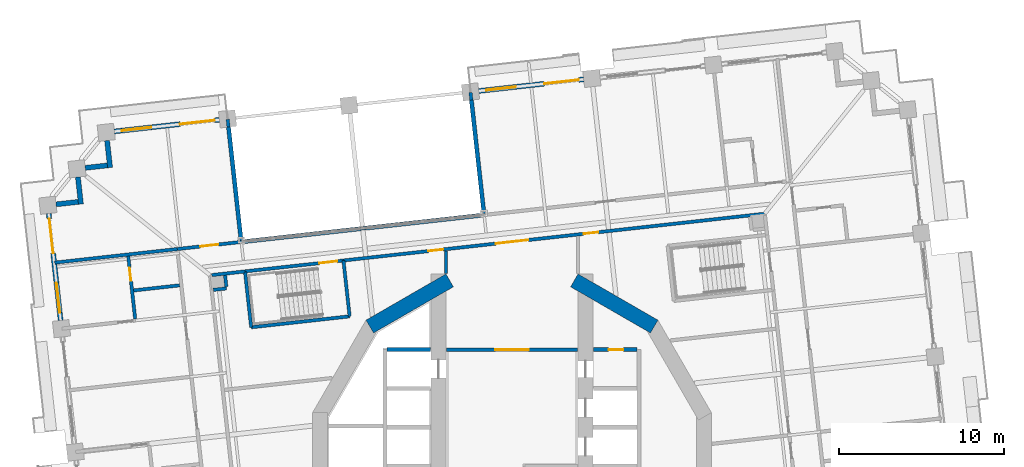
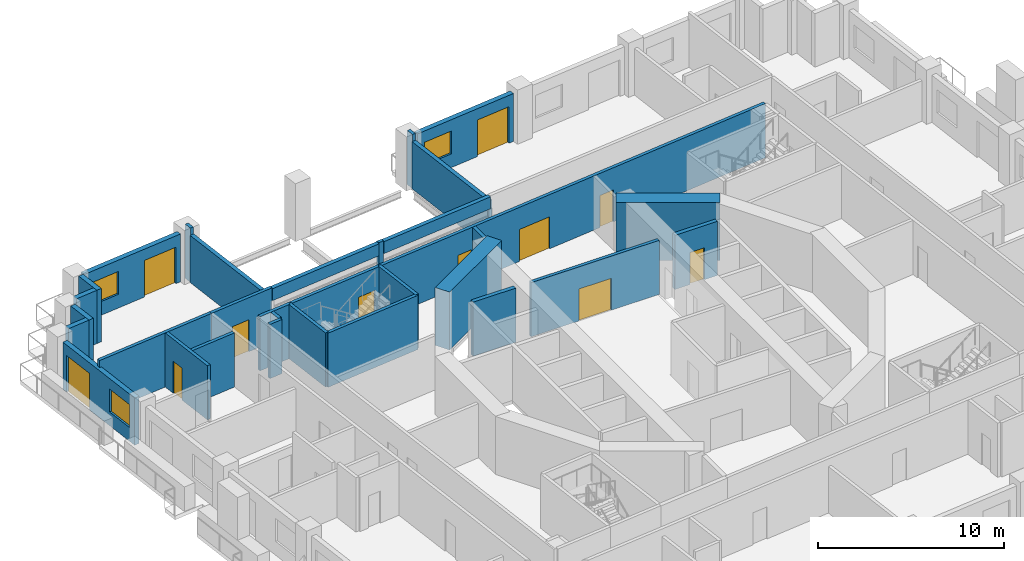
# One storey, part 11 of 21: 32 walls, 11 doors, 3 windows, 14 openings.
"""IFC4 building model written with IfcOpenShell, lengths in metres."""

from ifc_helpers import new_model, si_unit, direction, frame, frame_2d, origin, place, context, subcontext, project, spatial, rectangle, extrude, material, layer, layer_set, type_object, element, fill, save


model = new_model("IFC4")

# Units and contexts
model_context = context("Model", 3, precision=1e-05, world=origin(), true_north=direction((0.0, 1.0)))
body_context = subcontext(model_context, "Body", "Model", "MODEL_VIEW")
ifc_project = project(units=[si_unit("LENGTHUNIT", "METRE"), si_unit("AREAUNIT", "SQUARE_METRE"), si_unit("VOLUMEUNIT", "CUBIC_METRE"), si_unit("PLANEANGLEUNIT", "RADIAN"), si_unit("MASSUNIT", "GRAM", prefix="KILO")], contexts=[model_context])

# Site, building, storey
site_placement = place(None, origin())
site = spatial("IfcSite", under=ifc_project, at=site_placement, CompositionType="ELEMENT")
building_placement = place(site_placement, origin())
building = spatial("IfcBuilding", under=site, at=building_placement, Name="Cantera Rosa Tower", CompositionType="ELEMENT")
storey_placement = place(building_placement, frame((0.0, 0.0, 57.699951171875)))
storey = spatial("IfcBuildingStorey", under=building, at=storey_placement, Name="L11", CompositionType="ELEMENT", Elevation=57.699951171875)

# Walls
ifc_material_1 = material(Name="Gypsum board partition")
ifc_layer_1 = layer(ifc_material_1, 0.199951171875)
ifc_layer_set_1 = layer_set([ifc_layer_1], Name="CORRIDOR WALL 200 H3550")
wall_type_1 = type_object("IfcWallType", Name="CORRIDOR WALL 200 H3550", PredefinedType="PARTITIONING", material=ifc_layer_set_1)
wall_1_placement = place(storey_placement, frame((-16.172607421875, 11.787841796875, 0.0), z_axis=(0.0, 0.0, 1.0), x_axis=(-0.993905752705, -0.110233183482, 0.0)))
element("IfcWall", 1, at=wall_1_placement, inside=storey, type_object=wall_type_1, Name="CORRIDOR WALL L11-021", PredefinedType="PARTITIONING", context=body_context, shape_type="SweptSolid", body=[
    extrude(rectangle(XDim=2.026611328125, YDim=0.199951171875, at=frame_2d((1.01318359375, 0.0))), origin(), (0.0, 0.0, 1.0), 3.550048828125),
])
wall_2_placement = place(storey_placement, frame((-4.0, 13.038818359375, 0.0), z_axis=(0.0, 0.0, 1.0), x_axis=(0.0, -1.0, 0.0)))
element("IfcWall", 2, at=wall_2_placement, inside=storey, type_object=wall_type_1, Name="CORRIDOR WALL L11-051", PredefinedType="PARTITIONING", context=body_context, shape_type="SweptSolid", body=[
    extrude(rectangle(XDim=1.37158203125, YDim=0.199951171875, at=frame_2d((0.685791015625, 0.0))), origin(), (0.0, 0.0, 1.0), 3.550048828125),
])

# Wall, opening, door
wall_3_placement = place(storey_placement, frame((-3.969970703125, 7.050048828125, 0.0), z_axis=(0.0, 0.0, 1.0), x_axis=(1.0, 0.0, 0.0)))
wall_3 = element("IfcWall", 3, at=wall_3_placement, inside=storey, type_object=wall_type_1, Name="CORRIDOR WALL L11-052", PredefinedType="PARTITIONING", context=body_context, shape_type="SweptSolid", body=[
    extrude(rectangle(XDim=7.93994140625, YDim=0.199951171875, at=frame_2d((3.969970703125, 0.0))), origin(), (0.0, 0.0, 1.0), 3.550048828125),
])
opening_1_placement = place(wall_3_placement, frame((2.969970703125, 0.0, 0.0)))
opening_1 = element("IfcOpeningElement", 4, at=opening_1_placement, cuts=wall_3, Name="Opening L11-013", PredefinedType="OPENING", context=body_context, shape_type="SweptSolid", body=[
    extrude(rectangle(XDim=2.0, YDim=2.10009765625, at=frame_2d((1.0, 1.050048828125))), frame((0.0, 0.10986328125, 0.0), z_axis=(0.0, -1.0, 0.0), x_axis=(1.0, 0.0, 0.0)), (0.0, 0.0, 1.0), 0.219970703125),
])
ifc_material_2 = material(Name="Steel S355J2 (EN 10025-2)", Category="steel")
door_type_1 = type_object("IfcDoorType", Name="LOBBY SCREEN DOOR 2000x2100", OperationType="NOTDEFINED", PredefinedType="DOOR", material=ifc_material_2)
door_1_placement = place(opening_1_placement, origin())
door_1 = element("IfcDoor", 5, at=door_1_placement, inside=storey, type_object=door_type_1, Name="DOOR L11-013", OperationType="NOTDEFINED", OverallHeight=2.10009765625, OverallWidth=2.0, PredefinedType="DOOR", context=body_context, shape_type="SweptSolid", body=[
    extrude(rectangle(XDim=2.0, YDim=2.10009765625, at=frame_2d((1.0, 1.050048828125))), frame((0.0, 0.02490234375, 0.0), z_axis=(0.0, -1.0, 0.0), x_axis=(1.0, 0.0, 0.0)), (0.0, 0.0, 1.0), 0.050048828125),
])
fill(opening_1, door_1)

# Wall, openings, doors
wall_4_placement = place(storey_placement, frame((15.3076171875, 15.281982421875, 0.0), z_axis=(0.0, 0.0, 1.0), x_axis=(-0.993896137152, -0.110319846599, 0.0)))
wall_4 = element("IfcWall", 6, at=wall_4_placement, inside=storey, type_object=wall_type_1, Name="CORRIDOR WALL L11-084", PredefinedType="PARTITIONING", context=body_context, shape_type="SweptSolid", body=[
    extrude(rectangle(XDim=25.67333984375, YDim=0.199951171875, at=frame_2d((12.836669921875, 0.0))), origin(), (0.0, 0.0, 1.0), 3.550048828125),
])
opening_2_placement = place(wall_4_placement, frame((10.141357421875, 0.0, 0.0)))
opening_2 = element("IfcOpeningElement", 7, at=opening_2_placement, cuts=wall_4, Name="Opening L11-006", PredefinedType="OPENING", context=body_context, shape_type="SweptSolid", body=[
    extrude(rectangle(XDim=0.89990234375, YDim=2.10009765625, at=frame_2d((0.449951171875, 1.050048828125))), frame((0.0, 0.10986328125, 0.0), z_axis=(0.0, -1.0, 0.0), x_axis=(1.0, 0.0, 0.0)), (0.0, 0.0, 1.0), 0.219970703125),
])
opening_3_placement = place(wall_4_placement, frame((19.600830078125, 0.0, 0.0)))
opening_3 = element("IfcOpeningElement", 8, at=opening_3_placement, cuts=wall_4, Name="Opening L11-007", PredefinedType="OPENING", context=body_context, shape_type="SweptSolid", body=[
    extrude(rectangle(XDim=0.89990234375, YDim=2.10009765625, at=frame_2d((0.449951171875, 1.050048828125))), frame((0.0, 0.10986328125, 0.0), z_axis=(0.0, -1.0, 0.0), x_axis=(1.0, 0.0, 0.0)), (0.0, 0.0, 1.0), 0.219970703125),
])
opening_4_placement = place(wall_4_placement, frame((14.401611328125, 0.0, 0.0)))
opening_4 = element("IfcOpeningElement", 9, at=opening_4_placement, cuts=wall_4, Name="Opening L11-012", PredefinedType="OPENING", context=body_context, shape_type="SweptSolid", body=[
    extrude(rectangle(XDim=2.0, YDim=2.10009765625, at=frame_2d((1.0, 1.050048828125))), frame((0.0, 0.10986328125, 0.0), z_axis=(0.0, -1.0, 0.0), x_axis=(1.0, 0.0, 0.0)), (0.0, 0.0, 1.0), 0.219970703125),
])
door_2_placement = place(opening_4_placement, origin())
door_2 = element("IfcDoor", 10, at=door_2_placement, inside=storey, type_object=door_type_1, Name="DOOR L11-012", OperationType="NOTDEFINED", OverallHeight=2.10009765625, OverallWidth=2.0, PredefinedType="DOOR", context=body_context, shape_type="SweptSolid", body=[
    extrude(rectangle(XDim=2.0, YDim=2.10009765625, at=frame_2d((1.0, 1.050048828125))), frame((0.0, 0.02490234375, 0.0), z_axis=(0.0, -1.0, 0.0), x_axis=(1.0, 0.0, 0.0)), (0.0, 0.0, 1.0), 0.050048828125),
])
fill(opening_4, door_2)
ifc_material_3 = material(Name="Timber door leaf", Category="wood")
door_type_2 = type_object("IfcDoorType", Name="SERVICE DOOR 900x2100", OperationType="NOTDEFINED", PredefinedType="DOOR", material=ifc_material_3)
door_3_placement = place(opening_2_placement, origin())
door_3 = element("IfcDoor", 11, at=door_3_placement, inside=storey, type_object=door_type_2, Name="DOOR L11-006", OperationType="NOTDEFINED", OverallHeight=2.10009765625, OverallWidth=0.89990234375, PredefinedType="DOOR", context=body_context, shape_type="SweptSolid", body=[
    extrude(rectangle(XDim=0.89990234375, YDim=2.10009765625, at=frame_2d((0.449951171875, 1.050048828125))), frame((0.0, 0.02490234375, 0.0), z_axis=(0.0, -1.0, 0.0), x_axis=(1.0, 0.0, 0.0)), (0.0, 0.0, 1.0), 0.050048828125),
])
fill(opening_2, door_3)
door_4_placement = place(opening_3_placement, origin())
door_4 = element("IfcDoor", 12, at=door_4_placement, inside=storey, type_object=door_type_2, Name="DOOR L11-007", OperationType="NOTDEFINED", OverallHeight=2.10009765625, OverallWidth=0.89990234375, PredefinedType="DOOR", context=body_context, shape_type="SweptSolid", body=[
    extrude(rectangle(XDim=0.89990234375, YDim=2.10009765625, at=frame_2d((0.449951171875, 1.050048828125))), frame((0.0, 0.02490234375, 0.0), z_axis=(0.0, -1.0, 0.0), x_axis=(1.0, 0.0, 0.0)), (0.0, 0.0, 1.0), 0.050048828125),
])
fill(opening_3, door_4)

# Wall
wall_5_placement = place(storey_placement, frame((-8.89013671875, 14.4072265625, 0.0), z_axis=(0.0, 0.0, 1.0), x_axis=(-0.99387403451, -0.110518792638, 0.0)))
element("IfcWall", 13, at=wall_5_placement, inside=storey, type_object=wall_type_1, Name="CORRIDOR WALL L11-093", PredefinedType="PARTITIONING", context=body_context, shape_type="SweptSolid", body=[
    extrude(rectangle(XDim=0.30712890625, YDim=0.199951171875, at=frame_2d((0.153564453125, 0.0))), origin(), (0.0, 0.0, 1.0), 3.550048828125),
])

# Wall, opening, door
wall_6_placement = place(storey_placement, frame((-16.273193359375, 13.587890625, 0.0), z_axis=(0.0, 0.0, 1.0), x_axis=(-0.993894825106, -0.110331666476, 0.0)))
wall_6 = element("IfcWall", 14, at=wall_6_placement, inside=storey, type_object=wall_type_1, Name="CORRIDOR WALL L11-094", PredefinedType="PARTITIONING", context=body_context, shape_type="SweptSolid", body=[
    extrude(rectangle(XDim=4.025146484375, YDim=0.199951171875, at=frame_2d((2.0126953125, 0.0))), origin(), (0.0, 0.0, 1.0), 3.550048828125),
])
opening_5_placement = place(wall_6_placement, frame((1.52490234375, 0.0, 0.0)))
opening_5 = element("IfcOpeningElement", 15, at=opening_5_placement, cuts=wall_6, Name="Opening L11-028", PredefinedType="OPENING", context=body_context, shape_type="SweptSolid", body=[
    extrude(rectangle(XDim=1.10009765625, YDim=2.10009765625, at=frame_2d((0.550048828125, 1.050048828125))), frame((0.0, 0.10986328125, 0.0), z_axis=(0.0, -1.0, 0.0), x_axis=(1.0, 0.0, 0.0)), (0.0, 0.0, 1.0), 0.219970703125),
])
ifc_material_4 = material(Name="Timber door leaf", Category="wood")
door_type_3 = type_object("IfcDoorType", Name="ROOM DOOR 1100x2100", OperationType="NOTDEFINED", PredefinedType="DOOR", material=ifc_material_4)
door_5_placement = place(opening_5_placement, origin())
door_5 = element("IfcDoor", 16, at=door_5_placement, inside=storey, type_object=door_type_3, Name="DOOR L11-028", OperationType="NOTDEFINED", OverallHeight=2.10009765625, OverallWidth=1.10009765625, PredefinedType="DOOR", context=body_context, shape_type="SweptSolid", body=[
    extrude(rectangle(XDim=1.10009765625, YDim=2.10009765625, at=frame_2d((0.550048828125, 1.050048828125))), frame((0.0, 0.02490234375, 0.0), z_axis=(0.0, -1.0, 0.0), x_axis=(1.0, 0.0, 0.0)), (0.0, 0.0, 1.0), 0.050048828125),
])
fill(opening_5, door_5)

# Walls
ifc_material_5 = material(Name="Hollow clay masonry with cantera stone cladding", Category="masonry")
ifc_layer_2 = layer(ifc_material_5, 0.300048828125)
ifc_layer_set_2 = layer_set([ifc_layer_2], Name="EW-LOGGIA 300")
wall_type_2 = type_object("IfcWallType", Name="EW-LOGGIA 300", PredefinedType="SOLIDWALL", material=ifc_layer_set_2)
wall_7_placement = place(storey_placement, frame((-24.5244140625, 19.71484375, 0.0), z_axis=(0.0, 0.0, 1.0), x_axis=(0.110236638423, -0.993905369514, 0.0)))
element("IfcWall", 17, at=wall_7_placement, inside=storey, type_object=wall_type_2, Name="EN-L11-W14a", PredefinedType="SOLIDWALL", context=body_context, shape_type="SweptSolid", body=[
    extrude(rectangle(XDim=1.64990234375, YDim=0.300048828125, at=frame_2d((0.824951171875, 0.0))), origin(), (0.0, 0.0, 1.0), 3.5),
])
wall_8_placement = place(storey_placement, frame((-24.508056640625, 18.20751953125, 0.0), z_axis=(0.0, 0.0, 1.0), x_axis=(-0.993896959738, -0.110312435488, 0.0)))
element("IfcWall", 18, at=wall_8_placement, inside=storey, type_object=wall_type_2, Name="EN-L11-W14b", PredefinedType="SOLIDWALL", context=body_context, shape_type="SweptSolid", body=[
    extrude(rectangle(XDim=1.35009765625, YDim=0.300048828125, at=frame_2d((0.675048828125, 0.0))), origin(), (0.0, 0.0, 1.0), 3.5),
])
wall_9_placement = place(storey_placement, frame((-26.291748046875, 17.506591796875, 0.0), z_axis=(0.0, 0.0, 1.0), x_axis=(0.110382805355, -0.993889146878, 0.0)))
element("IfcWall", 19, at=wall_9_placement, inside=storey, type_object=wall_type_2, Name="EN-L11-W15a", PredefinedType="SOLIDWALL", context=body_context, shape_type="SweptSolid", body=[
    extrude(rectangle(XDim=1.64990234375, YDim=0.300048828125, at=frame_2d((0.824951171875, 0.0))), origin(), (0.0, 0.0, 1.0), 3.5),
])
wall_10_placement = place(storey_placement, frame((-26.275146484375, 15.999267578125, 0.0), z_axis=(0.0, 0.0, 1.0), x_axis=(-0.993896959738, -0.110312435488, 0.0)))
element("IfcWall", 20, at=wall_10_placement, inside=storey, type_object=wall_type_2, Name="EN-L11-W15b", PredefinedType="SOLIDWALL", context=body_context, shape_type="SweptSolid", body=[
    extrude(rectangle(XDim=1.35009765625, YDim=0.300048828125, at=frame_2d((0.675048828125, 0.0))), origin(), (0.0, 0.0, 1.0), 3.5),
])

# Wall, openings, window, door
ifc_material_6 = material(Name="Hollow clay masonry with cantera stone cladding", Category="masonry")
ifc_layer_3 = layer(ifc_material_6, 0.300048828125)
ifc_layer_set_3 = layer_set([ifc_layer_3], Name="EW-LOGGIA 300 H3090")
wall_type_3 = type_object("IfcWallType", Name="EW-LOGGIA 300 H3090", PredefinedType="SOLIDWALL", material=ifc_layer_set_3)
wall_11_placement = place(storey_placement, frame((-28.058837890625, 15.298095703125, 0.0), z_axis=(0.0, 0.0, 1.0), x_axis=(0.110312341265, -0.993896970196, 0.0)))
wall_11 = element("IfcWall", 21, at=wall_11_placement, inside=storey, type_object=wall_type_3, Name="EN-L11-W16", PredefinedType="SOLIDWALL", context=body_context, shape_type="SweptSolid", body=[
    extrude(rectangle(XDim=6.52001953125, YDim=0.300048828125, at=frame_2d((3.260009765625, 0.0))), origin(), (0.0, 0.0, 1.0), 3.090087890625),
])
opening_6_placement = place(wall_11_placement, frame((0.330078125, 0.0, 0.0)))
opening_6 = element("IfcOpeningElement", 22, at=opening_6_placement, cuts=wall_11, Name="Opening L11-TD19", PredefinedType="OPENING", context=body_context, shape_type="SweptSolid", body=[
    extrude(rectangle(XDim=2.10009765625, YDim=2.39990234375, at=frame_2d((1.050048828125, 1.199951171875))), frame((0.0, 0.159912109375, 0.0), z_axis=(0.0, -1.0, 0.0), x_axis=(1.0, 0.0, 0.0)), (0.0, 0.0, 1.0), 0.320068359375),
])
opening_7_placement = place(wall_11_placement, frame((4.239990234375, 0.0, 0.89990234375)))
opening_7 = element("IfcOpeningElement", 23, at=opening_7_placement, cuts=wall_11, Name="Opening L11-W20", PredefinedType="OPENING", context=body_context, shape_type="SweptSolid", body=[
    extrude(rectangle(XDim=1.800048828125, YDim=1.5, at=frame_2d((0.89990234375, 0.75))), frame((0.0, 0.159912109375, 0.0), z_axis=(0.0, -1.0, 0.0), x_axis=(1.0, 0.0, 0.0)), (0.0, 0.0, 1.0), 0.320068359375),
])
ifc_material_7 = material(Name="Aluminium frame with clear glass", Category="aluminium")
window_type = type_object("IfcWindowType", Name="Hotel room window 1800x1500", PartitioningType="DOUBLE_PANEL_VERTICAL", PredefinedType="WINDOW", material=ifc_material_7)
window_1_placement = place(opening_7_placement, origin())
window_1 = element("IfcWindow", 24, at=window_1_placement, inside=storey, type_object=window_type, Name="WINDOW L11-W20", OverallHeight=1.5, OverallWidth=1.800048828125, PartitioningType="SINGLE_PANEL", PredefinedType="WINDOW", context=body_context, shape_type="SweptSolid", body=[
    extrude(rectangle(XDim=1.800048828125, YDim=1.5, at=frame_2d((0.89990234375, 0.75))), frame((0.0, 0.030029296875, 0.0), z_axis=(0.0, -1.0, 0.0), x_axis=(1.0, 0.0, 0.0)), (0.0, 0.0, 1.0), 0.06005859375),
])
fill(opening_7, window_1)
ifc_material_8 = material(Name="Aluminium frame with clear glass", Category="aluminium")
door_type_4 = type_object("IfcDoorType", Name="TD-H 2100x2400", OperationType="NOTDEFINED", PredefinedType="DOOR", material=ifc_material_8)
door_6_placement = place(opening_6_placement, origin())
door_6 = element("IfcDoor", 25, at=door_6_placement, inside=storey, type_object=door_type_4, Name="LOGGIA DOOR L11-TD19", OperationType="SLIDING_TO_LEFT", OverallHeight=2.39990234375, OverallWidth=2.10009765625, PredefinedType="DOOR", context=body_context, shape_type="SweptSolid", body=[
    extrude(rectangle(XDim=2.10009765625, YDim=2.39990234375, at=frame_2d((1.050048828125, 1.199951171875))), frame((0.0, 0.02490234375, 0.0), z_axis=(0.0, -1.0, 0.0), x_axis=(1.0, 0.0, 0.0)), (0.0, 0.0, 1.0), 0.050048828125),
])
fill(opening_6, door_6)

ifc_material_9 = material(Name="Hollow clay masonry with cantera stone cladding", Category="masonry")
ifc_layer_4 = layer(ifc_material_9, 0.300048828125)
ifc_layer_set_4 = layer_set([ifc_layer_4], Name="EW-LOGGIA 300 H3140")
wall_type_4 = type_object("IfcWallType", Name="EW-LOGGIA 300 H3140", PredefinedType="SOLIDWALL", material=ifc_layer_set_4)
wall_12_placement = place(storey_placement, frame((4.3427734375, 23.422119140625, 0.0), z_axis=(0.0, 0.0, 1.0), x_axis=(-0.993895824271, -0.110322665379, 0.0)))
wall_12 = element("IfcWall", 26, at=wall_12_placement, inside=storey, type_object=wall_type_4, Name="EN-L11-W10", PredefinedType="SOLIDWALL", context=body_context, shape_type="SweptSolid", body=[
    extrude(rectangle(XDim=6.39990234375, YDim=0.300048828125, at=frame_2d((3.199951171875, 0.0))), origin(), (0.0, 0.0, 1.0), 3.14013671875),
])
opening_8_placement = place(wall_12_placement, frame((0.300048828125, 0.0, 0.0)))
opening_8 = element("IfcOpeningElement", 27, at=opening_8_placement, cuts=wall_12, Name="Opening L11-TD15", PredefinedType="OPENING", context=body_context, shape_type="SweptSolid", body=[
    extrude(rectangle(XDim=2.10009765625, YDim=2.39990234375, at=frame_2d((1.050048828125, 1.199951171875))), frame((0.0, 0.159912109375, 0.0), z_axis=(0.0, -1.0, 0.0), x_axis=(1.0, 0.0, 0.0)), (0.0, 0.0, 1.0), 0.320068359375),
])
opening_9_placement = place(wall_12_placement, frame((4.14990234375, 0.0, 0.89990234375)))
opening_9 = element("IfcOpeningElement", 28, at=opening_9_placement, cuts=wall_12, Name="Opening L11-W16", PredefinedType="OPENING", context=body_context, shape_type="SweptSolid", body=[
    extrude(rectangle(XDim=1.800048828125, YDim=1.5, at=frame_2d((0.89990234375, 0.75))), frame((0.0, 0.159912109375, 0.0), z_axis=(0.0, -1.0, 0.0), x_axis=(1.0, 0.0, 0.0)), (0.0, 0.0, 1.0), 0.320068359375),
])
window_2_placement = place(opening_9_placement, origin())
window_2 = element("IfcWindow", 29, at=window_2_placement, inside=storey, type_object=window_type, Name="WINDOW L11-W16", OverallHeight=1.5, OverallWidth=1.800048828125, PartitioningType="SINGLE_PANEL", PredefinedType="WINDOW", context=body_context, shape_type="SweptSolid", body=[
    extrude(rectangle(XDim=1.800048828125, YDim=1.5, at=frame_2d((0.89990234375, 0.75))), frame((0.0, 0.030029296875, 0.0), z_axis=(0.0, -1.0, 0.0), x_axis=(1.0, 0.0, 0.0)), (0.0, 0.0, 1.0), 0.06005859375),
])
fill(opening_9, window_2)
door_7_placement = place(opening_8_placement, origin())
door_7 = element("IfcDoor", 30, at=door_7_placement, inside=storey, type_object=door_type_4, Name="LOGGIA DOOR L11-TD15", OperationType="SLIDING_TO_LEFT", OverallHeight=2.39990234375, OverallWidth=2.10009765625, PredefinedType="DOOR", context=body_context, shape_type="SweptSolid", body=[
    extrude(rectangle(XDim=2.10009765625, YDim=2.39990234375, at=frame_2d((1.050048828125, 1.199951171875))), frame((0.0, 0.02490234375, 0.0), z_axis=(0.0, -1.0, 0.0), x_axis=(1.0, 0.0, 0.0)), (0.0, 0.0, 1.0), 0.050048828125),
])
fill(opening_8, door_7)

wall_13_placement = place(storey_placement, frame((-17.7216796875, 20.97314453125, 0.0), z_axis=(0.0, 0.0, 1.0), x_axis=(-0.993896288542, -0.110318482689, 0.0)))
wall_13 = element("IfcWall", 31, at=wall_13_placement, inside=storey, type_object=wall_type_4, Name="EN-L11-W13", PredefinedType="SOLIDWALL", context=body_context, shape_type="SweptSolid", body=[
    extrude(rectangle(XDim=6.400146484375, YDim=0.300048828125, at=frame_2d((3.2001953125, 0.0))), origin(), (0.0, 0.0, 1.0), 3.14013671875),
])
opening_10_placement = place(wall_13_placement, frame((0.300048828125, 0.0, 0.0)))
opening_10 = element("IfcOpeningElement", 32, at=opening_10_placement, cuts=wall_13, Name="Opening L11-TD17", PredefinedType="OPENING", context=body_context, shape_type="SweptSolid", body=[
    extrude(rectangle(XDim=2.10009765625, YDim=2.39990234375, at=frame_2d((1.050048828125, 1.199951171875))), frame((0.0, 0.159912109375, 0.0), z_axis=(0.0, -1.0, 0.0), x_axis=(1.0, 0.0, 0.0)), (0.0, 0.0, 1.0), 0.320068359375),
])
opening_11_placement = place(wall_13_placement, frame((4.14990234375, 0.0, 0.89990234375)))
opening_11 = element("IfcOpeningElement", 33, at=opening_11_placement, cuts=wall_13, Name="Opening L11-W18", PredefinedType="OPENING", context=body_context, shape_type="SweptSolid", body=[
    extrude(rectangle(XDim=1.800048828125, YDim=1.5, at=frame_2d((0.89990234375, 0.75))), frame((0.0, 0.159912109375, 0.0), z_axis=(0.0, -1.0, 0.0), x_axis=(1.0, 0.0, 0.0)), (0.0, 0.0, 1.0), 0.320068359375),
])
window_3_placement = place(opening_11_placement, origin())
window_3 = element("IfcWindow", 34, at=window_3_placement, inside=storey, type_object=window_type, Name="WINDOW L11-W18", OverallHeight=1.5, OverallWidth=1.800048828125, PartitioningType="SINGLE_PANEL", PredefinedType="WINDOW", context=body_context, shape_type="SweptSolid", body=[
    extrude(rectangle(XDim=1.800048828125, YDim=1.5, at=frame_2d((0.89990234375, 0.75))), frame((0.0, 0.030029296875, 0.0), z_axis=(0.0, -1.0, 0.0), x_axis=(1.0, 0.0, 0.0)), (0.0, 0.0, 1.0), 0.06005859375),
])
fill(opening_11, window_3)
door_8_placement = place(opening_10_placement, origin())
door_8 = element("IfcDoor", 35, at=door_8_placement, inside=storey, type_object=door_type_4, Name="LOGGIA DOOR L11-TD17", OperationType="SLIDING_TO_LEFT", OverallHeight=2.39990234375, OverallWidth=2.10009765625, PredefinedType="DOOR", context=body_context, shape_type="SweptSolid", body=[
    extrude(rectangle(XDim=2.10009765625, YDim=2.39990234375, at=frame_2d((1.050048828125, 1.199951171875))), frame((0.0, 0.02490234375, 0.0), z_axis=(0.0, -1.0, 0.0), x_axis=(1.0, 0.0, 0.0)), (0.0, 0.0, 1.0), 0.050048828125),
])
fill(opening_10, door_8)

# Walls
ifc_material_10 = material(Name="Concrete C40/50", Category="concrete")
ifc_layer_5 = layer(ifc_material_10, 0.25)
ifc_layer_set_5 = layer_set([ifc_layer_5], Name="EW-POCKET CHEEK 250 H3090")
wall_type_5 = type_object("IfcWallType", Name="EW-POCKET CHEEK 250 H3090", PredefinedType="SOLIDWALL", material=ifc_layer_set_5)
for number, where, z_axis, x_axis, name in (
    (36, (-2.4599609375, 22.163818359375, 0.0), (0.0, 0.0, 1.0), (0.110322788799, -0.993895810572, 0.0), "POCKET CHEEK A L11"),
    (37, (-17.169677734375, 20.53125, 0.0), (0.0, 0.0, 1.0), (0.110322788799, -0.993895810572, 0.0), "POCKET CHEEK B L11"),
):
    element("IfcWall", number, at=place(storey_placement, frame(where, z_axis=z_axis, x_axis=x_axis)), inside=storey, type_object=wall_type_5, Name=name, PredefinedType="SOLIDWALL", context=body_context, shape_type="SweptSolid", body=[
        extrude(rectangle(XDim=6.900146484375, YDim=0.25, at=frame_2d((3.4501953125, 0.0))), origin(), (0.0, 0.0, 1.0), 3.090087890625),
    ])
ifc_material_11 = material(Name="Hollow clay masonry with cantera stone cladding", Category="masonry")
ifc_layer_6 = layer(ifc_material_11, 0.25)
ifc_layer_set_6 = layer_set([ifc_layer_6], Name="EW-POCKET REAR 250")
wall_type_6 = type_object("IfcWallType", Name="EW-POCKET REAR 250", PredefinedType="SOLIDWALL", material=ifc_layer_set_6)
for number, where, z_axis, x_axis, name in (
    (38, (-1.81201171875, 15.19287109375, 2.716064453125), (0.0, 0.0, 1.0), (-0.993896270364, -0.110318646455, 0.0), "POCKET SPANDREL L11-1"),
    (39, (-9.195068359375, 14.373291015625, 2.716064453125), (0.0, 0.0, 1.0), (-0.993900028633, -0.110284781737, 0.0), "POCKET SPANDREL L11-2"),
):
    element("IfcWall", number, at=place(storey_placement, frame(where, z_axis=z_axis, x_axis=x_axis)), inside=storey, type_object=wall_type_6, Name=name, PredefinedType="SOLIDWALL", context=body_context, shape_type="SweptSolid", body=[
        extrude(rectangle(XDim=7.12158203125, YDim=0.25, at=frame_2d((3.560791015625, 0.0))), origin(), (0.0, 0.0, 1.0), 0.783935546875),
    ])

# Wall, opening, door
ifc_material_12 = material(Name="Gypsum board partition")
ifc_layer_7 = layer(ifc_material_12, 0.199951171875)
ifc_layer_set_7 = layer_set([ifc_layer_7], Name="PARTITION 200 H3550")
wall_type_7 = type_object("IfcWallType", Name="PARTITION 200 H3550", PredefinedType="PARTITIONING", material=ifc_layer_set_7)
wall_14_placement = place(storey_placement, frame((-23.244384765625, 12.71337890625, 0.0), z_axis=(0.0, 0.0, 1.0), x_axis=(0.110312274665, -0.993896977588, 0.0)))
wall_14 = element("IfcWall", 40, at=wall_14_placement, inside=storey, type_object=wall_type_7, Name="PARTITION L11-002", PredefinedType="PARTITIONING", context=body_context, shape_type="SweptSolid", body=[
    extrude(rectangle(XDim=3.81982421875, YDim=0.199951171875, at=frame_2d((1.909912109375, 0.0))), origin(), (0.0, 0.0, 1.0), 3.550048828125),
])
opening_12_placement = place(wall_14_placement, frame((0.7099609375, 0.0, 0.0)))
opening_12 = element("IfcOpeningElement", 41, at=opening_12_placement, cuts=wall_14, Name="Opening L11-031", PredefinedType="OPENING", context=body_context, shape_type="SweptSolid", body=[
    extrude(rectangle(XDim=0.800048828125, YDim=2.10009765625, at=frame_2d((0.39990234375, 1.050048828125))), frame((0.0, 0.10986328125, 0.0), z_axis=(0.0, -1.0, 0.0), x_axis=(1.0, 0.0, 0.0)), (0.0, 0.0, 1.0), 0.219970703125),
])
ifc_material_13 = material(Name="Timber door leaf", Category="wood")
door_type_5 = type_object("IfcDoorType", Name="BATHROOM DOOR 800x2100", OperationType="NOTDEFINED", PredefinedType="DOOR", material=ifc_material_13)
door_9_placement = place(opening_12_placement, origin())
door_9 = element("IfcDoor", 42, at=door_9_placement, inside=storey, type_object=door_type_5, Name="DOOR L11-031", OperationType="NOTDEFINED", OverallHeight=2.10009765625, OverallWidth=0.800048828125, PredefinedType="DOOR", context=body_context, shape_type="SweptSolid", body=[
    extrude(rectangle(XDim=0.800048828125, YDim=2.10009765625, at=frame_2d((0.39990234375, 1.050048828125))), frame((0.0, 0.02490234375, 0.0), z_axis=(0.0, -1.0, 0.0), x_axis=(1.0, 0.0, 0.0)), (0.0, 0.0, 1.0), 0.050048828125),
])
fill(opening_12, door_9)

# Walls
wall_15_placement = place(storey_placement, frame((-20.13037109375, 10.9462890625, 0.0), z_axis=(0.0, 0.0, 1.0), x_axis=(-0.99388905004, -0.110383677283, 0.0)))
element("IfcWall", 43, at=wall_15_placement, inside=storey, type_object=wall_type_7, Name="PARTITION L11-010", PredefinedType="PARTITIONING", context=body_context, shape_type="SweptSolid", body=[
    extrude(rectangle(XDim=2.800048828125, YDim=0.199951171875, at=frame_2d((1.39990234375, 0.0))), origin(), (0.0, 0.0, 1.0), 3.550048828125),
])
wall_16_placement = place(storey_placement, frame((-18.08740234375, 10.669921875, 0.0), z_axis=(0.0, 0.0, 1.0), x_axis=(0.993913470482, 0.110163574714, 0.0)))
element("IfcWall", 44, at=wall_16_placement, inside=storey, type_object=wall_type_7, Name="PARTITION L11-015", PredefinedType="PARTITIONING", context=body_context, shape_type="SweptSolid", body=[
    extrude(rectangle(XDim=0.800048828125, YDim=0.199951171875, at=frame_2d((0.39990234375, 0.0))), origin(), (0.0, 0.0, 1.0), 3.550048828125),
])
wall_17_placement = place(storey_placement, frame((-17.30322265625, 10.857421875, 0.0), z_axis=(0.0, 0.0, 1.0), x_axis=(-0.110546349969, 0.993870969748, 0.0)))
element("IfcWall", 45, at=wall_17_placement, inside=storey, type_object=wall_type_7, Name="PARTITION L11-017", PredefinedType="PARTITIONING", context=body_context, shape_type="SweptSolid", body=[
    extrude(rectangle(XDim=0.7001953125, YDim=0.199951171875, at=frame_2d((0.35009765625, 0.0))), origin(), (0.0, 0.0, 1.0), 3.550048828125),
])
wall_18_placement = place(storey_placement, frame((-17.221435546875, 20.998291015625, 0.0), z_axis=(0.0, 0.0, 1.0), x_axis=(0.110146397974, -0.993915374171, 0.0)))
element("IfcWall", 46, at=wall_18_placement, inside=storey, type_object=wall_type_7, Name="PARTITION L11-018", PredefinedType="PARTITIONING", context=body_context, shape_type="SweptSolid", body=[
    extrude(rectangle(XDim=0.469970703125, YDim=0.199951171875, at=frame_2d((0.23486328125, 0.0))), origin(), (0.0, 0.0, 1.0), 3.550048828125),
])
wall_19_placement = place(storey_placement, frame((-2.4599609375, 22.163818359375, 0.0), z_axis=(0.0, 0.0, 1.0), x_axis=(-0.110089547864, 0.993921672694, 0.0)))
element("IfcWall", 47, at=wall_19_placement, inside=storey, type_object=wall_type_7, Name="PARTITION L11-053", PredefinedType="PARTITIONING", context=body_context, shape_type="SweptSolid", body=[
    extrude(rectangle(XDim=0.47021484375, YDim=0.199951171875, at=frame_2d((0.235107421875, 0.0))), origin(), (0.0, 0.0, 1.0), 3.550048828125),
])
ifc_material_14 = material(Name="Gypsum board partition")
ifc_layer_8 = layer(ifc_material_14, 0.199951171875)
ifc_layer_set_8 = layer_set([ifc_layer_8], Name="PARTY WALL 200 H3550")
wall_type_8 = type_object("IfcWallType", Name="PARTY WALL 200 H3550", PredefinedType="PARTITIONING", material=ifc_layer_set_8)
wall_20_placement = place(storey_placement, frame((-20.273681640625, 13.143798828125, 0.0), z_axis=(0.0, 0.0, 1.0), x_axis=(-0.993894093242, -0.110338259085, 0.0)))
element("IfcWall", 48, at=wall_20_placement, inside=storey, type_object=wall_type_8, Name="PARTY WALL L11-007", PredefinedType="PARTITIONING", context=body_context, shape_type="SweptSolid", body=[
    extrude(rectangle(XDim=7.469970703125, YDim=0.199951171875, at=frame_2d((3.73486328125, 0.0))), origin(), (0.0, 0.0, 1.0), 3.550048828125),
])
ifc_material_15 = material(Name="Concrete C70/85", Category="concrete")
ifc_layer_9 = layer(ifc_material_15, 0.89990234375)
ifc_layer_set_9 = layer_set([ifc_layer_9], Name="RC CORE WALL 900 C70/85")
wall_type_9 = type_object("IfcWallType", Name="RC CORE WALL 900 C70/85", PredefinedType="SHEAR", material=ifc_layer_set_9)
for number, where, z_axis, x_axis, name in (
    (49, (-8.61376953125, 8.44921875, 0.0), (0.0, 0.0, 1.0), (0.866026961591, 0.49999730179, 0.0), "CW-W5 L11"),
    (50, (3.77490234375, 11.242919921875, 0.0), (0.0, 0.0, 1.0), (0.866026961591, -0.49999730179, 0.0), "CW-E1 L11"),
):
    element("IfcWall", number, at=place(storey_placement, frame(where, z_axis=z_axis, x_axis=x_axis)), inside=storey, type_object=wall_type_9, Name=name, PredefinedType="SHEAR", context=body_context, shape_type="SweptSolid", body=[
        extrude(rectangle(XDim=5.58740234375, YDim=0.89990234375, at=frame_2d((2.793701171875, 0.0))), origin(), (0.0, 0.0, 1.0), 3.800048828125),
    ])
ifc_material_16 = material(Name="Masonry blockwork", Category="masonry")
ifc_layer_10 = layer(ifc_material_16, 0.25)
ifc_layer_set_10 = layer_set([ifc_layer_10], Name="SHAFT WALL 250 H3550")
wall_type_10 = type_object("IfcWallType", Name="SHAFT WALL 250 H3550", PredefinedType="SOLIDWALL", material=ifc_layer_set_10)
wall_21_placement = place(storey_placement, frame((-4.929931640625, 7.050048828125, 0.0), z_axis=(0.0, 0.0, 1.0), x_axis=(-1.0, 0.0, 0.0)))
element("IfcWall", 51, at=wall_21_placement, inside=storey, type_object=wall_type_10, Name="SHAFT WALL L11-048", PredefinedType="SOLIDWALL", context=body_context, shape_type="SweptSolid", body=[
    extrude(rectangle(XDim=2.650146484375, YDim=0.25, at=frame_2d((1.3251953125, 0.0))), origin(), (0.0, 0.0, 1.0), 3.550048828125),
])

# Wall, opening, door
wall_22_placement = place(storey_placement, frame((7.580078125, 7.050048828125, 0.0), z_axis=(0.0, 0.0, 1.0), x_axis=(-1.0, 0.0, 0.0)))
wall_22 = element("IfcWall", 52, at=wall_22_placement, inside=storey, type_object=wall_type_10, Name="SHAFT WALL L11-068", PredefinedType="SOLIDWALL", context=body_context, shape_type="SweptSolid", body=[
    extrude(rectangle(XDim=2.650146484375, YDim=0.25, at=frame_2d((1.3251953125, 0.0))), origin(), (0.0, 0.0, 1.0), 3.550048828125),
])
opening_13_placement = place(wall_22_placement, frame((0.830078125, 0.0, 0.0)))
opening_13 = element("IfcOpeningElement", 53, at=opening_13_placement, cuts=wall_22, Name="Opening L11-048", PredefinedType="OPENING", context=body_context, shape_type="SweptSolid", body=[
    extrude(rectangle(XDim=0.89990234375, YDim=2.10009765625, at=frame_2d((0.449951171875, 1.050048828125))), frame((0.0, 0.135009765625, 0.0), z_axis=(0.0, -1.0, 0.0), x_axis=(1.0, 0.0, 0.0)), (0.0, 0.0, 1.0), 0.27001953125),
])
door_10_placement = place(opening_13_placement, origin())
door_10 = element("IfcDoor", 54, at=door_10_placement, inside=storey, type_object=door_type_2, Name="RISER DOOR L11-048", OperationType="NOTDEFINED", OverallHeight=2.10009765625, OverallWidth=0.89990234375, PredefinedType="DOOR", context=body_context, shape_type="SweptSolid", body=[
    extrude(rectangle(XDim=0.89990234375, YDim=2.10009765625, at=frame_2d((0.449951171875, 1.050048828125))), frame((0.0, 0.02490234375, 0.0), z_axis=(0.0, -1.0, 0.0), x_axis=(1.0, 0.0, 0.0)), (0.0, 0.0, 1.0), 0.050048828125),
])
fill(opening_13, door_10)

# Walls
ifc_material_17 = material(Name="Concrete C50/60", Category="concrete")
ifc_layer_11 = layer(ifc_material_17, 0.199951171875)
ifc_layer_set_11 = layer_set([ifc_layer_11], Name="STAIR WALL 200 H3550")
wall_type_11 = type_object("IfcWallType", Name="STAIR WALL 200 H3550", PredefinedType="SOLIDWALL", material=ifc_layer_set_11)
wall_23_placement = place(storey_placement, frame((-16.172607421875, 11.787841796875, 0.0), z_axis=(0.0, 0.0, 1.0), x_axis=(0.110368557057, -0.993890729212, 0.0)))
element("IfcWall", 55, at=wall_23_placement, inside=storey, type_object=wall_type_11, Name="STAIR WALL L11-022", PredefinedType="SOLIDWALL", context=body_context, shape_type="SweptSolid", body=[
    extrude(rectangle(XDim=3.404296875, YDim=0.199951171875, at=frame_2d((1.7021484375, 0.0))), origin(), (0.0, 0.0, 1.0), 3.550048828125),
])
wall_24_placement = place(storey_placement, frame((-15.796875, 8.404296875, 0.0), z_axis=(0.0, 0.0, 1.0), x_axis=(0.993897125329, 0.110310943534, 0.0)))
element("IfcWall", 56, at=wall_24_placement, inside=storey, type_object=wall_type_11, Name="STAIR WALL L11-024", PredefinedType="SOLIDWALL", context=body_context, shape_type="SweptSolid", body=[
    extrude(rectangle(XDim=6.0, YDim=0.199951171875, at=frame_2d((3.0, 0.0))), origin(), (0.0, 0.0, 1.0), 3.550048828125),
])

# Wall, opening, door
wall_25_placement = place(storey_placement, frame((-10.208984375, 12.44970703125, 0.0), z_axis=(0.0, 0.0, 1.0), x_axis=(-0.993897620437, -0.11030648254, 0.0)))
wall_25 = element("IfcWall", 57, at=wall_25_placement, inside=storey, type_object=wall_type_11, Name="STAIR WALL L11-033", PredefinedType="SOLIDWALL", context=body_context, shape_type="SweptSolid", body=[
    extrude(rectangle(XDim=6.000244140625, YDim=0.199951171875, at=frame_2d((3.0, 0.0))), origin(), (0.0, 0.0, 1.0), 3.550048828125),
])
opening_14_placement = place(wall_25_placement, frame((0.375, 0.0, 0.0)))
opening_14 = element("IfcOpeningElement", 58, at=opening_14_placement, cuts=wall_25, Name="Opening L11-002", PredefinedType="OPENING", context=body_context, shape_type="SweptSolid", body=[
    extrude(rectangle(XDim=1.10009765625, YDim=2.10009765625, at=frame_2d((0.550048828125, 1.050048828125))), frame((0.0, 0.10986328125, 0.0), z_axis=(0.0, -1.0, 0.0), x_axis=(1.0, 0.0, 0.0)), (0.0, 0.0, 1.0), 0.219970703125),
])
ifc_material_18 = material(Name="Steel S355J2 (EN 10025-2)", Category="steel")
door_type_6 = type_object("IfcDoorType", Name="STAIR DOOR 1100x2100", OperationType="NOTDEFINED", PredefinedType="DOOR", material=ifc_material_18)
door_11_placement = place(opening_14_placement, origin())
door_11 = element("IfcDoor", 59, at=door_11_placement, inside=storey, type_object=door_type_6, Name="DOOR L11-002", OperationType="NOTDEFINED", OverallHeight=2.10009765625, OverallWidth=1.10009765625, PredefinedType="DOOR", context=body_context, shape_type="SweptSolid", body=[
    extrude(rectangle(XDim=1.10009765625, YDim=2.10009765625, at=frame_2d((0.550048828125, 1.050048828125))), frame((0.0, 0.02490234375, 0.0), z_axis=(0.0, -1.0, 0.0), x_axis=(1.0, 0.0, 0.0)), (0.0, 0.0, 1.0), 0.050048828125),
])
fill(opening_14, door_11)

# Wall
wall_26_placement = place(storey_placement, frame((-9.83349609375, 9.066162109375, 0.0), z_axis=(0.0, 0.0, 1.0), x_axis=(-0.110297715324, 0.993898593416, 0.0)))
element("IfcWall", 60, at=wall_26_placement, inside=storey, type_object=wall_type_11, Name="STAIR WALL L11-034", PredefinedType="SOLIDWALL", context=body_context, shape_type="SweptSolid", body=[
    extrude(rectangle(XDim=3.404296875, YDim=0.199951171875, at=frame_2d((1.7021484375, 0.0))), origin(), (0.0, 0.0, 1.0), 3.550048828125),
])

save(model, "model.ifc")
